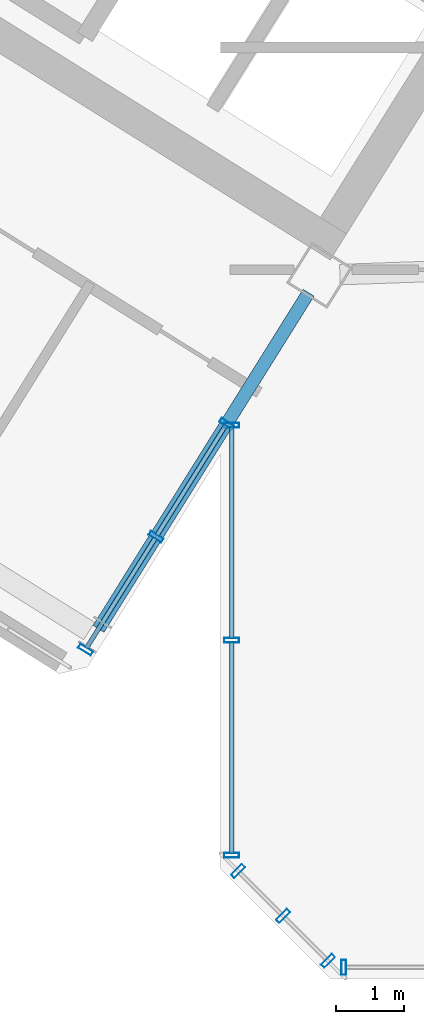
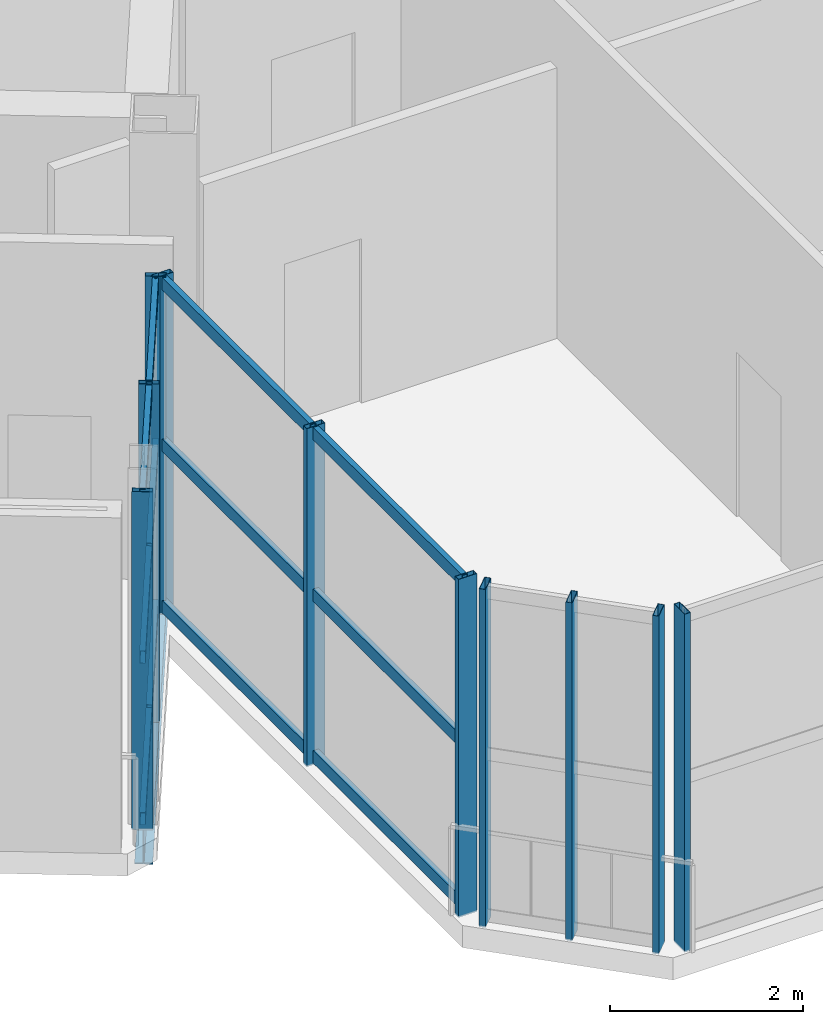
# One storey, part 6 of 27: 22 members, 1 beam, 4 elements without a shape of their own.
"""IFC4 building model written with IfcOpenShell, lengths in metres."""

from ifc_helpers import new_model, si_unit, direction, frame, origin, origin_2d, place, context, subcontext, project, spatial, hollow_rectangle, i_section, extrude, source, transform, mapped, material, material_profile, profile_set, type_object, element, aggregate, save


model = new_model("IFC4")

# Units and contexts
model_context = context("Model", 3, precision=1e-05, world=origin(), true_north=direction((0.0, 1.0)))
body_context = subcontext(model_context, "Body", "Model", "MODEL_VIEW")
ifc_project = project(units=[si_unit("LENGTHUNIT", "METRE"), si_unit("AREAUNIT", "SQUARE_METRE"), si_unit("VOLUMEUNIT", "CUBIC_METRE"), si_unit("PLANEANGLEUNIT", "RADIAN"), si_unit("MASSUNIT", "GRAM", prefix="KILO")], contexts=[model_context])

# Site, building, storey
site_placement = place(None, origin())
site = spatial("IfcSite", under=ifc_project, at=site_placement, CompositionType="ELEMENT")
building_placement = place(site_placement, origin())
building = spatial("IfcBuilding", under=site, at=building_placement, Name="Tlacorven Tower", CompositionType="ELEMENT")
storey_placement = place(building_placement, frame((0.0, 0.0, 254.699951171875)))
storey = spatial("IfcBuildingStorey", under=building, at=storey_placement, Name="L64", CompositionType="ELEMENT", Elevation=254.699951171875)

# Beam
ifc_material_1 = material(Name="Steel S355J2", Category="steel")
ifc_material_profile_1 = material_profile(ifc_material_1, i_section(OverallWidth=0.18994140625, OverallDepth=0.449951171875, WebThickness=0.009521484375, FlangeThickness=0.0146484375, at=origin_2d()), Name="IPE 450")
ifc_profile_set_1 = profile_set([ifc_material_profile_1], Name="Steel S355J2")
beam_type = type_object("IfcBeamType", Name="BM-TWR-450", PredefinedType="BEAM", material=ifc_profile_set_1)
shared_shape_1 = source(origin(), body_context, "Body", "SweptSolid", [
    extrude(i_section(OverallWidth=0.18994140625, OverallDepth=0.449951171875, WebThickness=0.009521484375, FlangeThickness=0.0146484375, at=origin_2d()), origin(), (0.0, 0.0, 1.0), 5.800048828125),
])
beam_placement = place(storey_placement, frame((32.88720703125, 11.83251953125, -0.5048828125), z_axis=(-0.529911912967, -0.848052689693, 0.0), x_axis=(0.848052689693, -0.529911912967, 0.0)))
element("IfcBeam", 1, at=beam_placement, inside=storey, type_object=beam_type, Name="L64 beam BM-L64-WT1-2", PredefinedType="BEAM", context=body_context, shape_type="MappedRepresentation", body=[
    mapped(shared_shape_1, transform((0.0, 0.0, 0.0), scale=1.0)),
])

# Curtain wall, member
ifc_material_2 = material(Name="Dark solar low-E double glazing in aluminium frame", Category="aluminium")
curtain_wall_type = type_object("IfcCurtainWallType", Name="CW-COM-AMENITY", PredefinedType="USERDEFINED", material=ifc_material_2)
curtain_wall_1_placement = place(storey_placement, origin())
curtain_wall_1 = element("IfcCurtainWall", 2, at=curtain_wall_1_placement, inside=storey, type_object=curtain_wall_type, Name="L64 CW-COM-AMENITY Curtain Wall 297", ObjectType="UNITISED CURTAIN WALL", PredefinedType="USERDEFINED")
ifc_material_3 = material(Name="Aluminium 6063-T6 anodised", Category="aluminium")
ifc_material_profile_2 = material_profile(ifc_material_3, hollow_rectangle(XDim=0.070068359375, YDim=0.219970703125, WallThickness=0.0048828125, at=origin_2d()), Name="ALU MULLION 70X220")
ifc_profile_set_2 = profile_set([ifc_material_profile_2], Name="Aluminium 6063-T6 anodised")
member_type_1 = type_object("IfcMemberType", Name="CWM-01", PredefinedType="MULLION", material=ifc_profile_set_2)
shared_shape_2 = source(origin(), body_context, "Body", "SweptSolid", [
    extrude(hollow_rectangle(XDim=0.070068359375, YDim=0.219970703125, WallThickness=0.0048828125, at=origin_2d()), origin(), (0.0, 0.0, 1.0), 4.280029296875),
])
member_1_placement = place(storey_placement, frame((33.4013671875, 1.9599609375, -0.02001953125), z_axis=(0.0, 0.0, 1.0), x_axis=(-1.0, 0.0, 0.0)))
member_1 = element("IfcMember", 3, at=member_1_placement, type_object=member_type_1, Name="CW-L64-297 Mullion 4", PredefinedType="MULLION", context=body_context, shape_type="MappedRepresentation", body=[
    mapped(shared_shape_2, transform((0.0, 0.0, 0.0), scale=1.0)),
])
aggregate(curtain_wall_1, [member_1])

# Curtain wall, members
curtain_wall_2_placement = place(storey_placement, origin())
curtain_wall_2 = element("IfcCurtainWall", 4, at=curtain_wall_2_placement, inside=storey, type_object=curtain_wall_type, Name="L64 CW-COM-AMENITY Curtain Wall 298", ObjectType="UNITISED CURTAIN WALL", PredefinedType="USERDEFINED")
member_2_placement = place(storey_placement, frame((33.1708984375, 2.055419921875, -0.02001953125), z_axis=(0.0, 0.0, 1.0), x_axis=(-0.707106781187, 0.707106781187, 0.0)))
member_2 = element("IfcMember", 5, at=member_2_placement, type_object=member_type_1, Name="CW-L64-298 Mullion 1", PredefinedType="MULLION", context=body_context, shape_type="MappedRepresentation", body=[
    mapped(shared_shape_2, transform((0.0, 0.0, 0.0), scale=1.0)),
])
member_3_placement = place(storey_placement, frame((32.51318359375, 2.713134765625, -0.02001953125), z_axis=(0.0, 0.0, 1.0), x_axis=(-0.707106781187, 0.707106781187, 0.0)))
member_3 = element("IfcMember", 6, at=member_3_placement, type_object=member_type_1, Name="CW-L64-298 Mullion 2", PredefinedType="MULLION", context=body_context, shape_type="MappedRepresentation", body=[
    mapped(shared_shape_2, transform((0.0, 0.0, 0.0), scale=1.0)),
])
member_4_placement = place(storey_placement, frame((31.85546875, 3.370849609375, -0.02001953125), z_axis=(0.0, 0.0, 1.0), x_axis=(-0.707106781187, 0.707106781187, 0.0)))
member_4 = element("IfcMember", 7, at=member_4_placement, type_object=member_type_1, Name="CW-L64-298 Mullion 3", PredefinedType="MULLION", context=body_context, shape_type="MappedRepresentation", body=[
    mapped(shared_shape_2, transform((0.0, 0.0, 0.0), scale=1.0)),
])
aggregate(curtain_wall_2, [member_2, member_3, member_4])

curtain_wall_3_placement = place(storey_placement, origin())
curtain_wall_3 = element("IfcCurtainWall", 8, at=curtain_wall_3_placement, inside=storey, type_object=curtain_wall_type, Name="L64 CW-COM-AMENITY Curtain Wall 299", ObjectType="UNITISED CURTAIN WALL", PredefinedType="USERDEFINED")
member_5_placement = place(storey_placement, frame((31.760009765625, 3.601318359375, -0.02001953125), z_axis=(0.0, 0.0, 1.0), x_axis=(0.0, 1.0, 0.0)))
member_5 = element("IfcMember", 9, at=member_5_placement, type_object=member_type_1, Name="CW-L64-299 Mullion 1", PredefinedType="MULLION", context=body_context, shape_type="MappedRepresentation", body=[
    mapped(shared_shape_2, transform((0.0, 0.0, 0.0), scale=1.0)),
])
member_6_placement = place(storey_placement, frame((31.760009765625, 6.74755859375, -0.02001953125), z_axis=(0.0, 0.0, 1.0), x_axis=(0.0, 1.0, 0.0)))
member_6 = element("IfcMember", 10, at=member_6_placement, type_object=member_type_1, Name="CW-L64-299 Mullion 2", PredefinedType="MULLION", context=body_context, shape_type="MappedRepresentation", body=[
    mapped(shared_shape_2, transform((0.0, 0.0, 0.0), scale=1.0)),
])
member_7_placement = place(storey_placement, frame((31.760009765625, 9.8935546875, -0.02001953125), z_axis=(0.0, 0.0, 1.0), x_axis=(0.0, 1.0, 0.0)))
member_7 = element("IfcMember", 11, at=member_7_placement, type_object=member_type_1, Name="CW-L64-299 Mullion 3", PredefinedType="MULLION", context=body_context, shape_type="MappedRepresentation", body=[
    mapped(shared_shape_2, transform((0.0, 0.0, 0.0), scale=1.0)),
])

curtain_wall_4_placement = place(storey_placement, origin())
curtain_wall_4 = element("IfcCurtainWall", 12, at=curtain_wall_4_placement, inside=storey, type_object=curtain_wall_type, Name="L64 CW-COM-AMENITY Curtain Wall 300", ObjectType="UNITISED CURTAIN WALL", PredefinedType="USERDEFINED")
member_8_placement = place(storey_placement, frame((31.6884765625, 9.9140625, -0.02001953125), z_axis=(0.0, 0.0, 1.0), x_axis=(-0.529918710919, -0.848048441905, 0.0)))
member_8 = element("IfcMember", 13, at=member_8_placement, type_object=member_type_1, Name="CW-L64-300 Mullion 1", PredefinedType="MULLION", context=body_context, shape_type="MappedRepresentation", body=[
    mapped(shared_shape_2, transform((0.0, 0.0, 0.0), scale=1.0)),
])
member_9_placement = place(storey_placement, frame((30.656005859375, 8.261962890625, -0.02001953125), z_axis=(0.0, 0.0, 1.0), x_axis=(-0.529918710919, -0.848048441905, 0.0)))
member_9 = element("IfcMember", 14, at=member_9_placement, type_object=member_type_1, Name="CW-L64-300 Mullion 2", PredefinedType="MULLION", context=body_context, shape_type="MappedRepresentation", body=[
    mapped(shared_shape_2, transform((0.0, 0.0, 0.0), scale=1.0)),
])
member_10_placement = place(storey_placement, frame((29.62353515625, 6.609619140625, -0.02001953125), z_axis=(0.0, 0.0, 1.0), x_axis=(-0.529918710919, -0.848048441905, 0.0)))
member_10 = element("IfcMember", 15, at=member_10_placement, type_object=member_type_1, Name="CW-L64-300 Mullion 3", PredefinedType="MULLION", context=body_context, shape_type="MappedRepresentation", body=[
    mapped(shared_shape_2, transform((0.0, 0.0, 0.0), scale=1.0)),
])

# Member
ifc_material_profile_3 = material_profile(ifc_material_3, hollow_rectangle(XDim=0.06494140625, YDim=0.159912109375, WallThickness=0.00390625, at=origin_2d()), Name="ALU TRANSOM 65X160")
ifc_profile_set_3 = profile_set([ifc_material_profile_3], Name="Aluminium 6063-T6 anodised")
member_type_2 = type_object("IfcMemberType", Name="CWT-01", PredefinedType="USERDEFINED", material=ifc_profile_set_3)
shared_shape_3 = source(origin(), body_context, "Body", "SweptSolid", [
    extrude(hollow_rectangle(XDim=0.06494140625, YDim=0.159912109375, WallThickness=0.00390625, at=origin_2d()), origin(), (0.0, 0.0, 1.0), 3.10009765625),
])
member_11_placement = place(storey_placement, frame((31.760009765625, 3.624267578125, 0.080078125), z_axis=(0.0, 1.0, 0.0), x_axis=(-1.0, 0.0, 0.0)))
member_11 = element("IfcMember", 16, at=member_11_placement, type_object=member_type_2, Name="CW-L64-299 Transom 1", ObjectType="TRANSOM", PredefinedType="USERDEFINED", context=body_context, shape_type="MappedRepresentation", body=[
    mapped(shared_shape_3, transform((0.0, 0.0, 0.0), scale=1.0)),
])

member_12_placement = place(storey_placement, frame((31.760009765625, 3.624267578125, 2.125), z_axis=(0.0, 1.0, 0.0), x_axis=(-1.0, 0.0, 0.0)))
member_12 = element("IfcMember", 17, at=member_12_placement, type_object=member_type_2, Name="CW-L64-299 Transom 2", ObjectType="TRANSOM", PredefinedType="USERDEFINED", context=body_context, shape_type="MappedRepresentation", body=[
    mapped(shared_shape_3, transform((0.0, 0.0, 0.0), scale=1.0)),
])

member_13_placement = place(storey_placement, frame((31.760009765625, 3.624267578125, 4.170166015625), z_axis=(0.0, 1.0, 0.0), x_axis=(-1.0, 0.0, 0.0)))
member_13 = element("IfcMember", 18, at=member_13_placement, type_object=member_type_2, Name="CW-L64-299 Transom 3", ObjectType="TRANSOM", PredefinedType="USERDEFINED", context=body_context, shape_type="MappedRepresentation", body=[
    mapped(shared_shape_3, transform((0.0, 0.0, 0.0), scale=1.0)),
])

member_14_placement = place(storey_placement, frame((31.760009765625, 6.7705078125, 0.080078125), z_axis=(0.0, 1.0, 0.0), x_axis=(-1.0, 0.0, 0.0)))
member_14 = element("IfcMember", 19, at=member_14_placement, type_object=member_type_2, Name="CW-L64-299 Transom 4", ObjectType="TRANSOM", PredefinedType="USERDEFINED", context=body_context, shape_type="MappedRepresentation", body=[
    mapped(shared_shape_3, transform((0.0, 0.0, 0.0), scale=1.0)),
])

member_15_placement = place(storey_placement, frame((31.760009765625, 6.7705078125, 2.125), z_axis=(0.0, 1.0, 0.0), x_axis=(-1.0, 0.0, 0.0)))
member_15 = element("IfcMember", 20, at=member_15_placement, type_object=member_type_2, Name="CW-L64-299 Transom 5", ObjectType="TRANSOM", PredefinedType="USERDEFINED", context=body_context, shape_type="MappedRepresentation", body=[
    mapped(shared_shape_3, transform((0.0, 0.0, 0.0), scale=1.0)),
])

member_16_placement = place(storey_placement, frame((31.760009765625, 6.7705078125, 4.170166015625), z_axis=(0.0, 1.0, 0.0), x_axis=(-1.0, 0.0, 0.0)))
member_16 = element("IfcMember", 21, at=member_16_placement, type_object=member_type_2, Name="CW-L64-299 Transom 6", ObjectType="TRANSOM", PredefinedType="USERDEFINED", context=body_context, shape_type="MappedRepresentation", body=[
    mapped(shared_shape_3, transform((0.0, 0.0, 0.0), scale=1.0)),
])

aggregate(curtain_wall_3, [member_5, member_6, member_7, member_11, member_12, member_13, member_14, member_15, member_16])

shared_shape_4 = source(origin(), body_context, "Body", "SweptSolid", [
    extrude(hollow_rectangle(XDim=0.06494140625, YDim=0.159912109375, WallThickness=0.00390625, at=origin_2d()), origin(), (0.0, 0.0, 1.0), 1.902587890625),
])
member_17_placement = place(storey_placement, frame((31.67626953125, 9.894775390625, 0.080078125), z_axis=(-0.529848980307, -0.848092010378, 0.0), x_axis=(0.848092010378, -0.529848980307, 0.0)))
member_17 = element("IfcMember", 22, at=member_17_placement, type_object=member_type_2, Name="CW-L64-300 Transom 1", ObjectType="TRANSOM", PredefinedType="USERDEFINED", context=body_context, shape_type="MappedRepresentation", body=[
    mapped(shared_shape_4, transform((0.0, 0.0, 0.0), scale=1.0)),
])

member_18_placement = place(storey_placement, frame((31.67626953125, 9.894775390625, 2.125), z_axis=(-0.529848980307, -0.848092010378, 0.0), x_axis=(0.848092010378, -0.529848980307, 0.0)))
member_18 = element("IfcMember", 23, at=member_18_placement, type_object=member_type_2, Name="CW-L64-300 Transom 2", ObjectType="TRANSOM", PredefinedType="USERDEFINED", context=body_context, shape_type="MappedRepresentation", body=[
    mapped(shared_shape_4, transform((0.0, 0.0, 0.0), scale=1.0)),
])

member_19_placement = place(storey_placement, frame((31.67626953125, 9.894775390625, 4.170166015625), z_axis=(-0.529848980307, -0.848092010378, 0.0), x_axis=(0.848092010378, -0.529848980307, 0.0)))
member_19 = element("IfcMember", 24, at=member_19_placement, type_object=member_type_2, Name="CW-L64-300 Transom 3", ObjectType="TRANSOM", PredefinedType="USERDEFINED", context=body_context, shape_type="MappedRepresentation", body=[
    mapped(shared_shape_4, transform((0.0, 0.0, 0.0), scale=1.0)),
])

shared_shape_5 = source(origin(), body_context, "Body", "SweptSolid", [
    extrude(hollow_rectangle(XDim=0.06494140625, YDim=0.159912109375, WallThickness=0.00390625, at=origin_2d()), origin(), (0.0, 0.0, 1.0), 1.90234375),
])
member_20_placement = place(storey_placement, frame((30.643798828125, 8.242431640625, 0.080078125), z_axis=(-0.52990664903, -0.84805597888, 0.0), x_axis=(0.84805597888, -0.52990664903, 0.0)))
member_20 = element("IfcMember", 25, at=member_20_placement, type_object=member_type_2, Name="CW-L64-300 Transom 4", ObjectType="TRANSOM", PredefinedType="USERDEFINED", context=body_context, shape_type="MappedRepresentation", body=[
    mapped(shared_shape_5, transform((0.0, 0.0, 0.0), scale=1.0)),
])

member_21_placement = place(storey_placement, frame((30.643798828125, 8.242431640625, 2.125), z_axis=(-0.52990664903, -0.84805597888, 0.0), x_axis=(0.84805597888, -0.52990664903, 0.0)))
member_21 = element("IfcMember", 26, at=member_21_placement, type_object=member_type_2, Name="CW-L64-300 Transom 5", ObjectType="TRANSOM", PredefinedType="USERDEFINED", context=body_context, shape_type="MappedRepresentation", body=[
    mapped(shared_shape_5, transform((0.0, 0.0, 0.0), scale=1.0)),
])

member_22_placement = place(storey_placement, frame((30.643798828125, 8.242431640625, 4.170166015625), z_axis=(-0.52990664903, -0.84805597888, 0.0), x_axis=(0.84805597888, -0.52990664903, 0.0)))
member_22 = element("IfcMember", 27, at=member_22_placement, type_object=member_type_2, Name="CW-L64-300 Transom 6", ObjectType="TRANSOM", PredefinedType="USERDEFINED", context=body_context, shape_type="MappedRepresentation", body=[
    mapped(shared_shape_5, transform((0.0, 0.0, 0.0), scale=1.0)),
])

aggregate(curtain_wall_4, [member_8, member_9, member_10, member_17, member_18, member_19, member_20, member_21, member_22])

save(model, "model.ifc")
